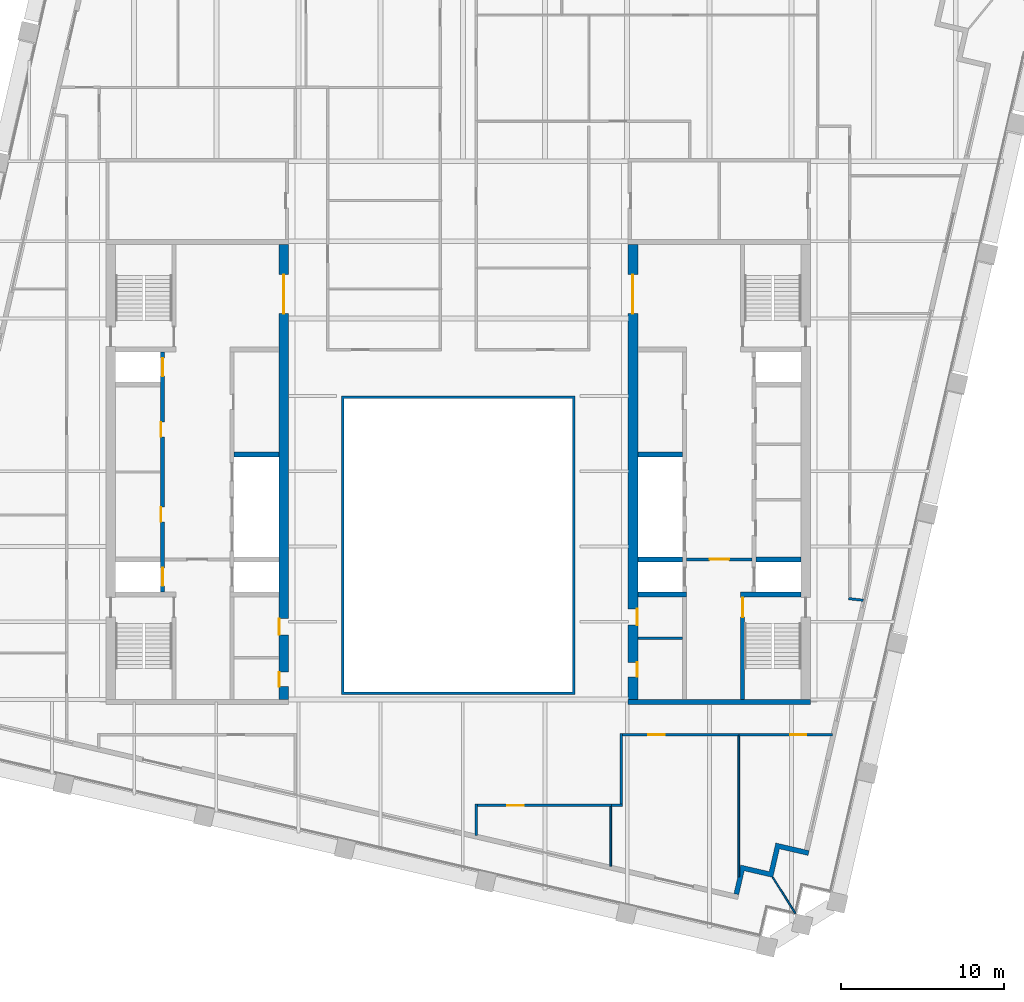
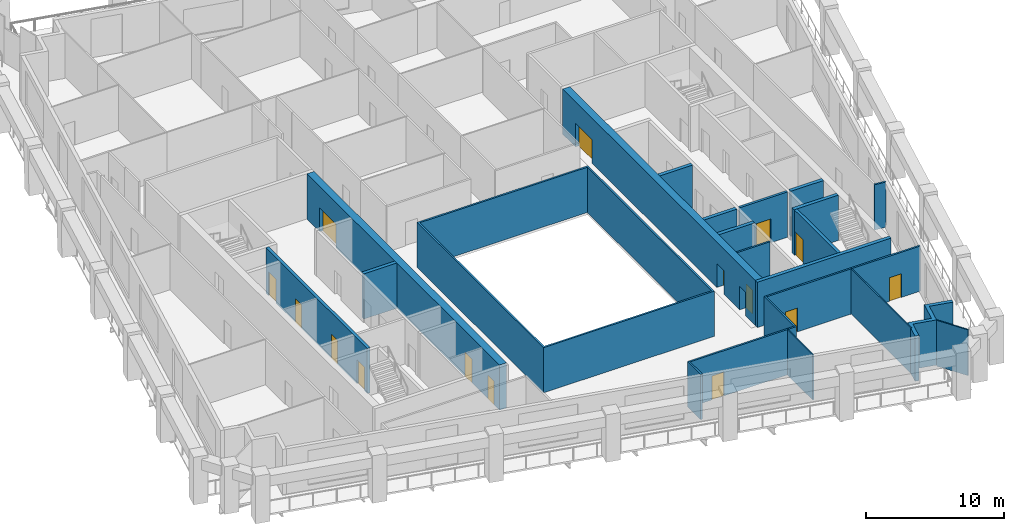
# One storey, part 5 of 10: 25 walls, 15 doors, 15 openings.
"""IFC4 building model written with IfcOpenShell, lengths in metres."""

from ifc_helpers import new_model, si_unit, direction, frame, frame_2d, origin, place, context, subcontext, project, spatial, polyline, rectangle, outline, extrude, material, layer, layer_set, type_object, element, fill, save


model = new_model("IFC4")

# Units and contexts
model_context = context("Model", 3, precision=1e-05, world=origin(), true_north=direction((0.0, 1.0)))
body_context = subcontext(model_context, "Body", "Model", "MODEL_VIEW")
ifc_project = project(units=[si_unit("LENGTHUNIT", "METRE"), si_unit("AREAUNIT", "SQUARE_METRE"), si_unit("VOLUMEUNIT", "CUBIC_METRE"), si_unit("PLANEANGLEUNIT", "RADIAN"), si_unit("MASSUNIT", "GRAM", prefix="KILO")], contexts=[model_context])

# Site, building, storey
site_placement = place(None, origin())
site = spatial("IfcSite", under=ifc_project, at=site_placement, CompositionType="ELEMENT")
building_placement = place(site_placement, origin())
building = spatial("IfcBuilding", under=site, at=building_placement, Name="Ogive Exchange Tower", CompositionType="ELEMENT")
storey_placement = place(building_placement, frame((0.0, 0.0, 264.0)))
storey = spatial("IfcBuildingStorey", under=building, at=storey_placement, Name="L57", CompositionType="ELEMENT", Elevation=264.0)

# Walls
ifc_material_1 = material(Name="Gypsum board partition")
ifc_layer_1 = layer(ifc_material_1, 0.14990234375)
ifc_layer_set_1 = layer_set([ifc_layer_1], Name="Core room partition 150 gypsum")
wall_type_1 = type_object("IfcWallType", Name="Core room partition 150 gypsum", PredefinedType="PARTITIONING", material=ifc_layer_set_1)
wall_1_placement = place(storey_placement, frame((11.0, 1.300048828125, 0.0), z_axis=(0.0, 0.0, 1.0), x_axis=(1.0, 0.0, 0.0)))
element("IfcWall", 1, at=wall_1_placement, inside=storey, type_object=wall_type_1, Name="E south room partition", PredefinedType="PARTITIONING", context=body_context, shape_type="SweptSolid", body=[
    extrude(rectangle(XDim=2.75, YDim=0.14990234375, at=frame_2d((1.375, 0.0))), origin(), (0.0, 0.0, 1.0), 4.0),
])
ifc_material_2 = material(Name="Fire partition EI 60 150")
ifc_layer_2 = layer(ifc_material_2, 0.14990234375)
ifc_layer_set_2 = layer_set([ifc_layer_2], Name="Fire partition EI 60 150")
wall_type_2 = type_object("IfcWallType", Name="Fire partition EI 60 150", PredefinedType="PARTITIONING", material=ifc_layer_set_2)
wall_2_placement = place(storey_placement, frame((1.10009765625, -8.864990234375, 0.0), z_axis=(0.0, 0.0, 1.0), x_axis=(0.0, -1.0, 0.0)))
element("IfcWall", 2, at=wall_2_placement, inside=storey, type_object=wall_type_2, Name="L57-PWL-045", PredefinedType="PARTITIONING", context=body_context, shape_type="SweptSolid", body=[
    extrude(rectangle(XDim=1.9130859375, YDim=0.14990234375, at=frame_2d((0.95654296875, 0.0))), origin(), (0.0, 0.0, 1.0), 4.0),
])

# Wall, opening, door
wall_3_placement = place(storey_placement, frame((9.389892578125, -8.93994140625, 0.0), z_axis=(0.0, 0.0, 1.0), x_axis=(-1.0, 0.0, 0.0)))
wall_3 = element("IfcWall", 3, at=wall_3_placement, inside=storey, type_object=wall_type_2, Name="L57-PWL-060", PredefinedType="PARTITIONING", context=body_context, shape_type="SweptSolid", body=[
    extrude(rectangle(XDim=8.21484375, YDim=0.14990234375, at=frame_2d((4.107421875, 0.0))), origin(), (0.0, 0.0, 1.0), 4.0),
])
opening_1_placement = place(wall_3_placement, frame((5.389892578125, 0.0, 0.0)))
opening_1 = element("IfcOpeningElement", 4, at=opening_1_placement, cuts=wall_3, Name="Opening L57-I25", PredefinedType="OPENING", context=body_context, shape_type="SweptSolid", body=[
    extrude(rectangle(XDim=1.0, YDim=2.10009765625, at=frame_2d((0.5, 1.050048828125))), frame((0.0, 0.0849609375, 0.0), z_axis=(0.0, -1.0, 0.0), x_axis=(1.0, 0.0, 0.0)), (0.0, 0.0, 1.0), 0.169921875),
])
ifc_material_3 = material(Name="Fire door FD 30S 1000 x 2100")
door_type_1 = type_object("IfcDoorType", Name="Fire door FD 30S 1000 x 2100", OperationType="NOTDEFINED", PredefinedType="DOOR", material=ifc_material_3)
door_1_placement = place(opening_1_placement, origin())
door_1 = element("IfcDoor", 5, at=door_1_placement, inside=storey, type_object=door_type_1, Name="L57-IDR-025", ObjectType="DT3", OperationType="SINGLE_SWING_LEFT", OverallHeight=2.10009765625, OverallWidth=1.0, PredefinedType="DOOR", context=body_context, shape_type="SweptSolid", body=[
    extrude(rectangle(XDim=1.0, YDim=2.10009765625, at=frame_2d((0.5, 1.050048828125))), frame((0.0, 0.02490234375, 0.0), z_axis=(0.0, -1.0, 0.0), x_axis=(1.0, 0.0, 0.0)), (0.0, 0.0, 1.0), 0.050048828125),
])
fill(opening_1, door_1)

# Walls
wall_4_placement = place(storey_placement, frame((10.074951171875, -8.93994140625, 0.0), z_axis=(0.0, 0.0, 1.0), x_axis=(-1.0, 0.0, 0.0)))
element("IfcWall", 6, at=wall_4_placement, inside=storey, type_object=wall_type_2, Name="L57-PWL-062", PredefinedType="PARTITIONING", context=body_context, shape_type="SweptSolid", body=[
    extrude(rectangle(XDim=0.68505859375, YDim=0.14990234375, at=frame_2d((0.342529296875, 0.0))), origin(), (0.0, 0.0, 1.0), 4.0),
])
wall_5_placement = place(storey_placement, frame((10.0, -4.52490234375, 0.0), z_axis=(0.0, 0.0, 1.0), x_axis=(0.0, -1.0, 0.0)))
element("IfcWall", 7, at=wall_5_placement, inside=storey, type_object=wall_type_2, Name="L57-PWL-063", PredefinedType="PARTITIONING", context=body_context, shape_type="SweptSolid", body=[
    extrude(rectangle(XDim=4.340087890625, YDim=0.14990234375, at=frame_2d((2.169921875, 0.0))), origin(), (0.0, 0.0, 1.0), 4.0),
])

# Wall, opening, door
wall_6_placement = place(storey_placement, frame((17.239990234375, -4.60009765625, 0.0), z_axis=(0.0, 0.0, 1.0), x_axis=(-1.0, 0.0, 0.0)))
wall_6 = element("IfcWall", 8, at=wall_6_placement, inside=storey, type_object=wall_type_2, Name="L57-PWL-065", PredefinedType="PARTITIONING", context=body_context, shape_type="SweptSolid", body=[
    extrude(rectangle(XDim=7.1650390625, YDim=0.14990234375, at=frame_2d((3.58251953125, 0.0))), origin(), (0.0, 0.0, 1.0), 4.0),
])
opening_2_placement = place(wall_6_placement, frame((4.590087890625, 0.0, 0.0)))
opening_2 = element("IfcOpeningElement", 9, at=opening_2_placement, cuts=wall_6, Name="Opening L57-I26", PredefinedType="OPENING", context=body_context, shape_type="SweptSolid", body=[
    extrude(rectangle(XDim=1.0, YDim=2.10009765625, at=frame_2d((0.5, 1.050048828125))), frame((0.0, 0.0849609375, 0.0), z_axis=(0.0, -1.0, 0.0), x_axis=(1.0, 0.0, 0.0)), (0.0, 0.0, 1.0), 0.169921875),
])
door_2_placement = place(opening_2_placement, origin())
door_2 = element("IfcDoor", 10, at=door_2_placement, inside=storey, type_object=door_type_1, Name="L57-IDR-026", ObjectType="DT3", OperationType="SINGLE_SWING_LEFT", OverallHeight=2.10009765625, OverallWidth=1.0, PredefinedType="DOOR", context=body_context, shape_type="SweptSolid", body=[
    extrude(rectangle(XDim=1.0, YDim=2.10009765625, at=frame_2d((0.5, 1.050048828125))), frame((0.0, 0.02490234375, 0.0), z_axis=(0.0, -1.0, 0.0), x_axis=(1.0, 0.0, 0.0)), (0.0, 0.0, 1.0), 0.050048828125),
])
fill(opening_2, door_2)

wall_7_placement = place(storey_placement, frame((22.922119140625, -4.60009765625, 0.0), z_axis=(0.0, 0.0, 1.0), x_axis=(-1.0, 0.0, 0.0)))
wall_7 = element("IfcWall", 11, at=wall_7_placement, inside=storey, type_object=wall_type_2, Name="L57-PWL-072", PredefinedType="PARTITIONING", context=body_context, shape_type="SweptSolid", body=[
    extrude(rectangle(XDim=5.732177734375, YDim=0.14990234375, at=frame_2d((2.8662109375, 0.0))), origin(), (0.0, 0.0, 1.0), 4.0),
])
opening_3_placement = place(wall_7_placement, frame((1.58203125, 0.0, 0.0)))
opening_3 = element("IfcOpeningElement", 12, at=opening_3_placement, cuts=wall_7, Name="Opening L57-I27", PredefinedType="OPENING", context=body_context, shape_type="SweptSolid", body=[
    extrude(rectangle(XDim=1.0, YDim=2.10009765625, at=frame_2d((0.5, 1.050048828125))), frame((0.0, 0.0849609375, 0.0), z_axis=(0.0, -1.0, 0.0), x_axis=(1.0, 0.0, 0.0)), (0.0, 0.0, 1.0), 0.169921875),
])
door_3_placement = place(opening_3_placement, origin())
door_3 = element("IfcDoor", 13, at=door_3_placement, inside=storey, type_object=door_type_1, Name="L57-IDR-027", ObjectType="DT3", OperationType="SINGLE_SWING_RIGHT", OverallHeight=2.10009765625, OverallWidth=1.0, PredefinedType="DOOR", context=body_context, shape_type="SweptSolid", body=[
    extrude(rectangle(XDim=1.0, YDim=2.10009765625, at=frame_2d((0.5, 1.050048828125))), frame((0.0, 0.02490234375, 0.0), z_axis=(0.0, -1.0, 0.0), x_axis=(1.0, 0.0, 0.0)), (0.0, 0.0, 1.0), 0.050048828125),
])
fill(opening_3, door_3)

# Walls
wall_8_placement = place(storey_placement, frame((23.925048828125, 3.739013671875, 0.0), z_axis=(0.0, 0.0, 1.0), x_axis=(0.993344839434, -0.115178253021, 0.0)))
element("IfcWall", 14, at=wall_8_placement, inside=storey, type_object=wall_type_2, Name="L57-PWL-073", PredefinedType="PARTITIONING", context=body_context, shape_type="SweptSolid", body=[
    extrude(rectangle(XDim=0.903076171875, YDim=0.14990234375, at=frame_2d((0.45166015625, 0.0))), origin(), (0.0, 0.0, 1.0), 4.0),
])
ifc_material_4 = material(Name="Fire-resisting glass in steel frame", Category="steel")
ifc_layer_3 = layer(ifc_material_4, 0.14990234375)
ifc_layer_set_3 = layer_set([ifc_layer_3], Name="Fire-rated glazed wall 150")
wall_type_3 = type_object("IfcWallType", Name="Fire-rated glazed wall 150", PredefinedType="STANDARD", material=ifc_layer_set_3)
wall_9_placement = place(storey_placement, origin())
element("IfcWall", 15, at=wall_9_placement, inside=storey, type_object=wall_type_3, Name="Nave enclosure wall", PredefinedType="STANDARD", context=body_context, shape_type="SweptSolid", body=[
    extrude(outline(polyline([(-7.14990234375, -2.14990234375), (7.14990234375, -2.14990234375), (7.14990234375, 16.14990234375), (-7.14990234375, 16.14990234375), (-7.14990234375, -2.14990234375)]), holes=[polyline([(-7.0, -2.0), (-7.0, 16.0), (7.0, 16.0), (7.0, -2.0), (-7.0, -2.0)])]), origin(), (0.0, 0.0, 1.0), 4.0),
])
ifc_material_5 = material(Name="Precast concrete C40/50", Category="concrete")
ifc_layer_4 = layer(ifc_material_5, 0.300048828125)
ifc_layer_set_4 = layer_set([ifc_layer_4], Name="Limestone-faced wall 300")
wall_type_4 = type_object("IfcWallType", Name="Limestone-faced wall 300", PredefinedType="STANDARD", material=ifc_layer_set_4)
wall_10_placement = place(storey_placement, origin())
element("IfcWall", 16, at=wall_10_placement, inside=storey, type_object=wall_type_4, Name="External corner wall C1", PredefinedType="STANDARD", context=body_context, shape_type="SweptSolid", body=[
    extrude(outline(polyline([(19.053955078125, -12.993408203125), (19.458740234375, -11.239501953125), (21.5048828125, -11.7119140625), (21.4375, -12.004150390625), (19.68359375, -11.599365234375), (19.27880859375, -13.353271484375), (17.52490234375, -12.9482421875), (17.1875, -14.409912109375), (16.89501953125, -14.34228515625), (17.300048828125, -12.58837890625), (19.053955078125, -12.993408203125)])), origin(), (0.0, 0.0, 1.0), 4.0),
])
ifc_material_6 = material(Name="Laminated safety glass in steel frame", Category="steel")
ifc_layer_5 = layer(ifc_material_6, 0.10009765625)
ifc_layer_set_5 = layer_set([ifc_layer_5], Name="Loggia end screen 100")
wall_type_5 = type_object("IfcWallType", Name="Loggia end screen 100", PredefinedType="STANDARD", material=ifc_layer_set_5)
wall_11_placement = place(storey_placement, frame((19.27880859375, -13.353271484375, -0.050048828125), z_axis=(0.0, 0.0, 1.0), x_axis=(0.529914407191, -0.848051131154, 0.0)))
element("IfcWall", 17, at=wall_11_placement, inside=storey, type_object=wall_type_5, Name="Loggia end screen C1", PredefinedType="STANDARD", context=body_context, shape_type="SweptSolid", body=[
    extrude(rectangle(XDim=2.59619140625, YDim=0.10009765625, at=frame_2d((1.298095703125, 0.0))), origin(), (0.0, 0.0, 1.0), 4.050048828125),
])
ifc_material_7 = material(Name="Partition 100 gypsum")
ifc_layer_6 = layer(ifc_material_7, 0.10009765625)
ifc_layer_set_6 = layer_set([ifc_layer_6], Name="Partition 100 gypsum")
wall_type_6 = type_object("IfcWallType", Name="Partition 100 gypsum", PredefinedType="PARTITIONING", material=ifc_layer_set_6)
wall_12_placement = place(storey_placement, frame((9.340087890625, -9.014892578125, 0.0), z_axis=(0.0, 0.0, 1.0), x_axis=(0.0, -1.0, 0.0)))
element("IfcWall", 18, at=wall_12_placement, inside=storey, type_object=wall_type_6, Name="L57-PWL-061", PredefinedType="PARTITIONING", context=body_context, shape_type="SweptSolid", body=[
    extrude(rectangle(XDim=3.666015625, YDim=0.10009765625, at=frame_2d((1.8330078125, 0.0))), origin(), (0.0, 0.0, 1.0), 4.0),
])
wall_13_placement = place(storey_placement, frame((17.18994140625, -4.675048828125, 0.0), z_axis=(0.0, 0.0, 1.0), x_axis=(0.0, -1.0, 0.0)))
element("IfcWall", 19, at=wall_13_placement, inside=storey, type_object=wall_type_6, Name="L57-PWL-066", PredefinedType="PARTITIONING", context=body_context, shape_type="SweptSolid", body=[
    extrude(rectangle(XDim=8.635009765625, YDim=0.10009765625, at=frame_2d((4.3173828125, 0.0))), origin(), (0.0, 0.0, 1.0), 4.0),
])

# Wall, opening, door
ifc_material_8 = material(Name="Concrete C70/85", Category="concrete")
ifc_layer_7 = layer(ifc_material_8, 0.199951171875)
ifc_layer_set_7 = layer_set([ifc_layer_7], Name="RC core wall 200 C70/85")
wall_type_7 = type_object("IfcWallType", Name="RC core wall 200 C70/85", PredefinedType="SHEAR", material=ifc_layer_set_7)
wall_14_placement = place(storey_placement, frame((14.0, 6.142822265625, 0.0), z_axis=(0.0, 0.0, 1.0), x_axis=(1.0, 0.0, 0.0)))
wall_14 = element("IfcWall", 20, at=wall_14_placement, inside=storey, type_object=wall_type_7, Name="E firefighting lobby wall", PredefinedType="SHEAR", context=body_context, shape_type="SweptSolid", body=[
    extrude(rectangle(XDim=4.0, YDim=0.199951171875, at=frame_2d((2.0, 0.0))), origin(), (0.0, 0.0, 1.0), 4.0),
])
opening_4_placement = place(wall_14_placement, frame((1.39990234375, 0.0, 0.0)))
opening_4 = element("IfcOpeningElement", 21, at=opening_4_placement, cuts=wall_14, Name="Opening L57-C29", PredefinedType="OPENING", context=body_context, shape_type="SweptSolid", body=[
    extrude(rectangle(XDim=1.199951171875, YDim=2.10009765625, at=frame_2d((0.60009765625, 1.050048828125))), frame((0.0, 0.10986328125, 0.0), z_axis=(0.0, -1.0, 0.0), x_axis=(1.0, 0.0, 0.0)), (0.0, 0.0, 1.0), 0.219970703125),
])
ifc_material_9 = material(Name="Steel fire door", Category="steel")
door_type_2 = type_object("IfcDoorType", Name="Firefighting lobby door FD60 1200 x 2100", OperationType="NOTDEFINED", PredefinedType="DOOR", material=ifc_material_9)
door_4_placement = place(opening_4_placement, frame((1.199951171875, 0.0, 0.0), z_axis=(0.0, 0.0, 1.0), x_axis=(-1.0, 0.0, 0.0)))
door_4 = element("IfcDoor", 22, at=door_4_placement, inside=storey, type_object=door_type_2, Name="Firefighting lobby door", ObjectType="CD3", OperationType="SINGLE_SWING_LEFT", OverallHeight=2.10009765625, OverallWidth=1.199951171875, PredefinedType="DOOR", context=body_context, shape_type="SweptSolid", body=[
    extrude(rectangle(XDim=1.199951171875, YDim=2.10009765625, at=frame_2d((0.60009765625, 1.050048828125))), frame((0.0, 0.02490234375, 0.0), z_axis=(0.0, -1.0, 0.0), x_axis=(1.0, 0.0, 0.0)), (0.0, 0.0, 1.0), 0.050048828125),
])
fill(opening_4, door_4)

# Wall, openings, doors
ifc_layer_8 = layer(ifc_material_8, 0.25)
ifc_layer_set_8 = layer_set([ifc_layer_8], Name="RC core wall 250 C70/85")
wall_type_8 = type_object("IfcWallType", Name="RC core wall 250 C70/85", PredefinedType="SHEAR", material=ifc_layer_set_8)
wall_15_placement = place(storey_placement, frame((-18.125, 4.14990234375, 0.0), z_axis=(0.0, 0.0, 1.0), x_axis=(0.0, 1.0, 0.0)))
wall_15 = element("IfcWall", 23, at=wall_15_placement, inside=storey, type_object=wall_type_8, Name="W row A front wall", PredefinedType="SHEAR", context=body_context, shape_type="SweptSolid", body=[
    extrude(rectangle(XDim=14.7001953125, YDim=0.25, at=frame_2d((7.35009765625, 0.0))), origin(), (0.0, 0.0, 1.0), 4.0),
])
opening_5_placement = place(wall_15_placement, frame((4.29638671875, 0.0, 0.0)))
opening_5 = element("IfcOpeningElement", 24, at=opening_5_placement, cuts=wall_15, Name="Opening L57-C01", PredefinedType="OPENING", context=body_context, shape_type="SweptSolid", body=[
    extrude(rectangle(XDim=0.89990234375, YDim=2.10009765625, at=frame_2d((0.449951171875, 1.050048828125))), frame((0.0, 0.135009765625, 0.0), z_axis=(0.0, -1.0, 0.0), x_axis=(1.0, 0.0, 0.0)), (0.0, 0.0, 1.0), 0.27001953125),
])
opening_6_placement = place(wall_15_placement, frame((9.503662109375, 0.0, 0.0)))
opening_6 = element("IfcOpeningElement", 25, at=opening_6_placement, cuts=wall_15, Name="Opening L57-C02", PredefinedType="OPENING", context=body_context, shape_type="SweptSolid", body=[
    extrude(rectangle(XDim=0.89990234375, YDim=2.10009765625, at=frame_2d((0.449951171875, 1.050048828125))), frame((0.0, 0.135009765625, 0.0), z_axis=(0.0, -1.0, 0.0), x_axis=(1.0, 0.0, 0.0)), (0.0, 0.0, 1.0), 0.27001953125),
])
opening_7_placement = place(wall_15_placement, frame((0.371337890625, 0.0, 0.0)))
opening_7 = element("IfcOpeningElement", 26, at=opening_7_placement, cuts=wall_15, Name="Opening L57-C03", PredefinedType="OPENING", context=body_context, shape_type="SweptSolid", body=[
    extrude(rectangle(XDim=1.10009765625, YDim=2.10009765625, at=frame_2d((0.550048828125, 1.050048828125))), frame((0.0, 0.135009765625, 0.0), z_axis=(0.0, -1.0, 0.0), x_axis=(1.0, 0.0, 0.0)), (0.0, 0.0, 1.0), 0.27001953125),
])
opening_8_placement = place(wall_15_placement, frame((13.228515625, 0.0, 0.0)))
opening_8 = element("IfcOpeningElement", 27, at=opening_8_placement, cuts=wall_15, Name="Opening L57-C04", PredefinedType="OPENING", context=body_context, shape_type="SweptSolid", body=[
    extrude(rectangle(XDim=1.10009765625, YDim=2.10009765625, at=frame_2d((0.550048828125, 1.050048828125))), frame((0.0, 0.135009765625, 0.0), z_axis=(0.0, -1.0, 0.0), x_axis=(1.0, 0.0, 0.0)), (0.0, 0.0, 1.0), 0.27001953125),
])
ifc_material_10 = material(Name="Timber fire door", Category="wood")
door_type_3 = type_object("IfcDoorType", Name="Core room door FD30S 900 x 2100", OperationType="NOTDEFINED", PredefinedType="DOOR", material=ifc_material_10)
door_5_placement = place(opening_6_placement, origin())
door_5 = element("IfcDoor", 28, at=door_5_placement, inside=storey, type_object=door_type_3, Name="Core room door", ObjectType="CD6", OperationType="SINGLE_SWING_RIGHT", OverallHeight=2.10009765625, OverallWidth=0.89990234375, PredefinedType="DOOR", context=body_context, shape_type="SweptSolid", body=[
    extrude(rectangle(XDim=0.89990234375, YDim=2.10009765625, at=frame_2d((0.449951171875, 1.050048828125))), frame((0.0, 0.125, 0.0), z_axis=(0.0, -1.0, 0.0), x_axis=(1.0, 0.0, 0.0)), (0.0, 0.0, 1.0), 0.050048828125),
])
fill(opening_6, door_5)
ifc_material_11 = material(Name="Stainless steel", Category="steel")
door_type_4 = type_object("IfcDoorType", Name="Lift landing door FD90 1100 x 2100", OperationType="SLIDING_TO_LEFT", PredefinedType="DOOR", material=ifc_material_11)
door_6_placement = place(opening_7_placement, origin())
door_6 = element("IfcDoor", 29, at=door_6_placement, inside=storey, type_object=door_type_4, Name="Lift landing door FF1", ObjectType="LD", OperationType="SLIDING_TO_LEFT", OverallHeight=2.10009765625, OverallWidth=1.10009765625, PredefinedType="DOOR", context=body_context, shape_type="SweptSolid", body=[
    extrude(rectangle(XDim=1.10009765625, YDim=2.10009765625, at=frame_2d((0.550048828125, 1.050048828125))), frame((0.0, 0.02490234375, 0.0), z_axis=(0.0, -1.0, 0.0), x_axis=(1.0, 0.0, 0.0)), (0.0, 0.0, 1.0), 0.050048828125),
])
fill(opening_7, door_6)
door_7_placement = place(opening_8_placement, origin())
door_7 = element("IfcDoor", 30, at=door_7_placement, inside=storey, type_object=door_type_4, Name="Lift landing door W-SH2", ObjectType="LD", OperationType="SLIDING_TO_LEFT", OverallHeight=2.10009765625, OverallWidth=1.10009765625, PredefinedType="DOOR", context=body_context, shape_type="SweptSolid", body=[
    extrude(rectangle(XDim=1.10009765625, YDim=2.10009765625, at=frame_2d((0.550048828125, 1.050048828125))), frame((0.0, 0.02490234375, 0.0), z_axis=(0.0, -1.0, 0.0), x_axis=(1.0, 0.0, 0.0)), (0.0, 0.0, 1.0), 0.050048828125),
])
fill(opening_8, door_7)
door_type_5 = type_object("IfcDoorType", Name="Riser door FD60 900 x 2100", OperationType="NOTDEFINED", PredefinedType="DOOR", material=ifc_material_9)
door_8_placement = place(opening_5_placement, origin())
door_8 = element("IfcDoor", 31, at=door_8_placement, inside=storey, type_object=door_type_5, Name="Riser door", ObjectType="CD2", OperationType="SINGLE_SWING_RIGHT", OverallHeight=2.10009765625, OverallWidth=0.89990234375, PredefinedType="DOOR", context=body_context, shape_type="SweptSolid", body=[
    extrude(rectangle(XDim=0.89990234375, YDim=2.10009765625, at=frame_2d((0.449951171875, 1.050048828125))), frame((0.0, 0.125, 0.0), z_axis=(0.0, -1.0, 0.0), x_axis=(1.0, 0.0, 0.0)), (0.0, 0.0, 1.0), 0.050048828125),
])
fill(opening_5, door_8)

# Wall, opening, door
wall_16_placement = place(storey_placement, frame((17.425048828125, -2.449951171875, 0.0), z_axis=(0.0, 0.0, 1.0), x_axis=(0.0, 1.0, 0.0)))
wall_16 = element("IfcWall", 32, at=wall_16_placement, inside=storey, type_object=wall_type_8, Name="E stair S front wall", PredefinedType="SHEAR", context=body_context, shape_type="SweptSolid", body=[
    extrude(rectangle(XDim=6.300048828125, YDim=0.25, at=frame_2d((3.14990234375, 0.0))), origin(), (0.0, 0.0, 1.0), 4.0),
])
opening_9_placement = place(wall_16_placement, frame((5.050048828125, 0.0, 0.0)))
opening_9 = element("IfcOpeningElement", 33, at=opening_9_placement, cuts=wall_16, Name="Opening L57-C31", PredefinedType="OPENING", context=body_context, shape_type="SweptSolid", body=[
    extrude(rectangle(XDim=1.199951171875, YDim=2.10009765625, at=frame_2d((0.60009765625, 1.050048828125))), frame((0.0, 0.135009765625, 0.0), z_axis=(0.0, -1.0, 0.0), x_axis=(1.0, 0.0, 0.0)), (0.0, 0.0, 1.0), 0.27001953125),
])
door_type_6 = type_object("IfcDoorType", Name="Stair door FD90 1200 x 2100", OperationType="NOTDEFINED", PredefinedType="DOOR", material=ifc_material_9)
door_9_placement = place(opening_9_placement, frame((1.199951171875, 0.0, 0.0), z_axis=(0.0, 0.0, 1.0), x_axis=(-1.0, 0.0, 0.0)))
door_9 = element("IfcDoor", 34, at=door_9_placement, inside=storey, type_object=door_type_6, Name="Stair door", ObjectType="CD5", OperationType="SINGLE_SWING_RIGHT", OverallHeight=2.10009765625, OverallWidth=1.199951171875, PredefinedType="DOOR", context=body_context, shape_type="SweptSolid", body=[
    extrude(rectangle(XDim=1.199951171875, YDim=2.10009765625, at=frame_2d((0.60009765625, 1.050048828125))), frame((0.0, 0.02490234375, 0.0), z_axis=(0.0, -1.0, 0.0), x_axis=(1.0, 0.0, 0.0)), (0.0, 0.0, 1.0), 0.050048828125),
])
fill(opening_9, door_9)

# Walls
ifc_layer_9 = layer(ifc_material_8, 0.300048828125)
ifc_layer_set_9 = layer_set([ifc_layer_9], Name="RC core wall 300 C70/85")
wall_type_9 = type_object("IfcWallType", Name="RC core wall 300 C70/85", PredefinedType="SHEAR", material=ifc_layer_set_9)
wall_17_placement = place(storey_placement, frame((-13.75, 12.5712890625, 0.0), z_axis=(0.0, 0.0, 1.0), x_axis=(1.0, 0.0, 0.0)))
element("IfcWall", 35, at=wall_17_placement, inside=storey, type_object=wall_type_9, Name="W row B divider 4", PredefinedType="SHEAR", context=body_context, shape_type="SweptSolid", body=[
    extrude(rectangle(XDim=2.75, YDim=0.300048828125, at=frame_2d((1.375, 0.0))), origin(), (0.0, 0.0, 1.0), 4.0),
])
wall_18_placement = place(storey_placement, frame((10.39990234375, -2.60009765625, 0.0), z_axis=(0.0, 0.0, 1.0), x_axis=(1.0, 0.0, 0.0)))
element("IfcWall", 36, at=wall_18_placement, inside=storey, type_object=wall_type_9, Name="E south end wall", PredefinedType="SHEAR", context=body_context, shape_type="SweptSolid", body=[
    extrude(rectangle(XDim=11.2001953125, YDim=0.300048828125, at=frame_2d((5.60009765625, 0.0))), origin(), (0.0, 0.0, 1.0), 4.0),
])
wall_19_placement = place(storey_placement, frame((17.300048828125, 4.0, 0.0), z_axis=(0.0, 0.0, 1.0), x_axis=(1.0, 0.0, 0.0)))
element("IfcWall", 37, at=wall_19_placement, inside=storey, type_object=wall_type_9, Name="E stair S north wall", PredefinedType="SHEAR", context=body_context, shape_type="SweptSolid", body=[
    extrude(rectangle(XDim=3.699951171875, YDim=0.300048828125, at=frame_2d((1.85009765625, 0.0))), origin(), (0.0, 0.0, 1.0), 4.0),
])
wall_20_placement = place(storey_placement, frame((18.25, 6.142822265625, 0.0), z_axis=(0.0, 0.0, 1.0), x_axis=(1.0, 0.0, 0.0)))
element("IfcWall", 38, at=wall_20_placement, inside=storey, type_object=wall_type_9, Name="E row A divider 1", PredefinedType="SHEAR", context=body_context, shape_type="SweptSolid", body=[
    extrude(rectangle(XDim=2.75, YDim=0.300048828125, at=frame_2d((1.375, 0.0))), origin(), (0.0, 0.0, 1.0), 4.0),
])
wall_21_placement = place(storey_placement, frame((11.0, 4.0, 0.0), z_axis=(0.0, 0.0, 1.0), x_axis=(1.0, 0.0, 0.0)))
element("IfcWall", 39, at=wall_21_placement, inside=storey, type_object=wall_type_9, Name="E row B divider 0", PredefinedType="SHEAR", context=body_context, shape_type="SweptSolid", body=[
    extrude(rectangle(XDim=3.0, YDim=0.300048828125, at=frame_2d((1.5, 0.0))), origin(), (0.0, 0.0, 1.0), 4.0),
])
for number, where, z_axis, x_axis, name in (
    (40, (11.0, 6.142822265625, 0.0), (0.0, 0.0, 1.0), (1.0, 0.0, 0.0), "E row B divider 1"),
    (41, (11.0, 12.5712890625, 0.0), (0.0, 0.0, 1.0), (1.0, 0.0, 0.0), "E row B divider 4"),
):
    element("IfcWall", number, at=place(storey_placement, frame(where, z_axis=z_axis, x_axis=x_axis)), inside=storey, type_object=wall_type_9, Name=name, PredefinedType="SHEAR", context=body_context, shape_type="SweptSolid", body=[
        extrude(rectangle(XDim=2.75, YDim=0.300048828125, at=frame_2d((1.375, 0.0))), origin(), (0.0, 0.0, 1.0), 4.0),
    ])

# Wall, openings, doors
ifc_layer_10 = layer(ifc_material_8, 0.60009765625)
ifc_layer_set_10 = layer_set([ifc_layer_10], Name="RC core wall 600 C70/85")
wall_type_10 = type_object("IfcWallType", Name="RC core wall 600 C70/85", PredefinedType="SHEAR", material=ifc_layer_set_10)
wall_22_placement = place(storey_placement, frame((-10.699951171875, -2.449951171875, 0.0), z_axis=(0.0, 0.0, 1.0), x_axis=(0.0, 1.0, 0.0)))
wall_22 = element("IfcWall", 42, at=wall_22_placement, inside=storey, type_object=wall_type_10, Name="W inner wall", PredefinedType="SHEAR", context=body_context, shape_type="SweptSolid", body=[
    extrude(rectangle(XDim=27.89990234375, YDim=0.60009765625, at=frame_2d((13.949951171875, 0.0))), origin(), (0.0, 0.0, 1.0), 4.0),
])
opening_10_placement = place(wall_22_placement, frame((23.64990234375, 0.0, 0.0)))
opening_10 = element("IfcOpeningElement", 43, at=opening_10_placement, cuts=wall_22, Name="Opening L57-C11", PredefinedType="OPENING", context=body_context, shape_type="SweptSolid", body=[
    extrude(rectangle(XDim=2.39990234375, YDim=2.10009765625, at=frame_2d((1.199951171875, 1.050048828125))), frame((0.0, 0.31005859375, 0.0), z_axis=(0.0, -1.0, 0.0), x_axis=(1.0, 0.0, 0.0)), (0.0, 0.0, 1.0), 0.6201171875),
])
opening_11_placement = place(wall_22_placement, frame((0.78759765625, 0.0, 0.0)))
opening_11 = element("IfcOpeningElement", 44, at=opening_11_placement, cuts=wall_22, Name="Opening L57-C16", PredefinedType="OPENING", context=body_context, shape_type="SweptSolid", body=[
    extrude(rectangle(XDim=0.89990234375, YDim=2.10009765625, at=frame_2d((0.449951171875, 1.050048828125))), frame((0.0, 0.31005859375, 0.0), z_axis=(0.0, -1.0, 0.0), x_axis=(1.0, 0.0, 0.0)), (0.0, 0.0, 1.0), 0.6201171875),
])
opening_12_placement = place(wall_22_placement, frame((3.96240234375, 0.0, 0.0)))
opening_12 = element("IfcOpeningElement", 45, at=opening_12_placement, cuts=wall_22, Name="Opening L57-C17", PredefinedType="OPENING", context=body_context, shape_type="SweptSolid", body=[
    extrude(rectangle(XDim=1.0, YDim=2.10009765625, at=frame_2d((0.5, 1.050048828125))), frame((0.0, 0.31005859375, 0.0), z_axis=(0.0, -1.0, 0.0), x_axis=(1.0, 0.0, 0.0)), (0.0, 0.0, 1.0), 0.6201171875),
])
door_type_7 = type_object("IfcDoorType", Name="Accessible WC door FD30S 1000 x 2100", OperationType="NOTDEFINED", PredefinedType="DOOR", material=ifc_material_10)
door_10_placement = place(opening_12_placement, frame((1.0, 0.5498046875, 0.0), z_axis=(0.0, 0.0, 1.0), x_axis=(-1.0, 0.0, 0.0)))
door_10 = element("IfcDoor", 46, at=door_10_placement, inside=storey, type_object=door_type_7, Name="Accessible WC door", ObjectType="CD7", OperationType="SINGLE_SWING_LEFT", OverallHeight=2.10009765625, OverallWidth=1.0, PredefinedType="DOOR", context=body_context, shape_type="SweptSolid", body=[
    extrude(rectangle(XDim=1.0, YDim=2.10009765625, at=frame_2d((0.5, 1.050048828125))), frame((0.0, 0.2998046875, 0.0), z_axis=(0.0, -1.0, 0.0), x_axis=(1.0, 0.0, 0.0)), (0.0, 0.0, 1.0), 0.050048828125),
])
fill(opening_12, door_10)
door_11_placement = place(opening_11_placement, frame((0.89990234375, 0.5498046875, 0.0), z_axis=(0.0, 0.0, 1.0), x_axis=(-1.0, 0.0, 0.0)))
door_11 = element("IfcDoor", 47, at=door_11_placement, inside=storey, type_object=door_type_3, Name="Core room door", ObjectType="CD6", OperationType="SINGLE_SWING_LEFT", OverallHeight=2.10009765625, OverallWidth=0.89990234375, PredefinedType="DOOR", context=body_context, shape_type="SweptSolid", body=[
    extrude(rectangle(XDim=0.89990234375, YDim=2.10009765625, at=frame_2d((0.449951171875, 1.050048828125))), frame((0.0, 0.2998046875, 0.0), z_axis=(0.0, -1.0, 0.0), x_axis=(1.0, 0.0, 0.0)), (0.0, 0.0, 1.0), 0.050048828125),
])
fill(opening_11, door_11)
ifc_material_12 = material(Name="Glazed steel fire door", Category="steel")
door_type_8 = type_object("IfcDoorType", Name="Lift lobby double door FD60 2400 x 2100", OperationType="DOUBLE_DOOR_SINGLE_SWING", PredefinedType="DOOR", material=ifc_material_12)
door_12_placement = place(opening_10_placement, frame((2.39990234375, 0.0, 0.0), z_axis=(0.0, 0.0, 1.0), x_axis=(-1.0, 0.0, 0.0)))
door_12 = element("IfcDoor", 48, at=door_12_placement, inside=storey, type_object=door_type_8, Name="Lift lobby double door", ObjectType="CD4", OperationType="DOUBLE_DOOR_SINGLE_SWING", OverallHeight=2.10009765625, OverallWidth=2.39990234375, PredefinedType="DOOR", context=body_context, shape_type="SweptSolid", body=[
    extrude(rectangle(XDim=2.39990234375, YDim=2.10009765625, at=frame_2d((1.199951171875, 1.050048828125))), frame((0.0, 0.02490234375, 0.0), z_axis=(0.0, -1.0, 0.0), x_axis=(1.0, 0.0, 0.0)), (0.0, 0.0, 1.0), 0.050048828125),
])
fill(opening_10, door_12)

wall_23_placement = place(storey_placement, frame((10.699951171875, -2.449951171875, 0.0), z_axis=(0.0, 0.0, 1.0), x_axis=(0.0, 1.0, 0.0)))
wall_23 = element("IfcWall", 49, at=wall_23_placement, inside=storey, type_object=wall_type_10, Name="E inner wall", PredefinedType="SHEAR", context=body_context, shape_type="SweptSolid", body=[
    extrude(rectangle(XDim=27.89990234375, YDim=0.60009765625, at=frame_2d((13.949951171875, 0.0))), origin(), (0.0, 0.0, 1.0), 4.0),
])
opening_13_placement = place(wall_23_placement, frame((23.64990234375, 0.0, 0.0)))
opening_13 = element("IfcOpeningElement", 50, at=opening_13_placement, cuts=wall_23, Name="Opening L57-C30", PredefinedType="OPENING", context=body_context, shape_type="SweptSolid", body=[
    extrude(rectangle(XDim=2.39990234375, YDim=2.10009765625, at=frame_2d((1.199951171875, 1.050048828125))), frame((0.0, 0.31005859375, 0.0), z_axis=(0.0, -1.0, 0.0), x_axis=(1.0, 0.0, 0.0)), (0.0, 0.0, 1.0), 0.6201171875),
])
opening_14_placement = place(wall_23_placement, frame((1.387451171875, 0.0, 0.0)))
opening_14 = element("IfcOpeningElement", 51, at=opening_14_placement, cuts=wall_23, Name="Opening L57-C35", PredefinedType="OPENING", context=body_context, shape_type="SweptSolid", body=[
    extrude(rectangle(XDim=0.89990234375, YDim=2.10009765625, at=frame_2d((0.449951171875, 1.050048828125))), frame((0.0, 0.31005859375, 0.0), z_axis=(0.0, -1.0, 0.0), x_axis=(1.0, 0.0, 0.0)), (0.0, 0.0, 1.0), 0.6201171875),
])
opening_15_placement = place(wall_23_placement, frame((4.5625, 0.0, 0.0)))
opening_15 = element("IfcOpeningElement", 52, at=opening_15_placement, cuts=wall_23, Name="Opening L57-C36", PredefinedType="OPENING", context=body_context, shape_type="SweptSolid", body=[
    extrude(rectangle(XDim=1.0, YDim=2.10009765625, at=frame_2d((0.5, 1.050048828125))), frame((0.0, 0.31005859375, 0.0), z_axis=(0.0, -1.0, 0.0), x_axis=(1.0, 0.0, 0.0)), (0.0, 0.0, 1.0), 0.6201171875),
])
door_13_placement = place(opening_15_placement, origin())
door_13 = element("IfcDoor", 53, at=door_13_placement, inside=storey, type_object=door_type_7, Name="Accessible WC door", ObjectType="CD7", OperationType="SINGLE_SWING_RIGHT", OverallHeight=2.10009765625, OverallWidth=1.0, PredefinedType="DOOR", context=body_context, shape_type="SweptSolid", body=[
    extrude(rectangle(XDim=1.0, YDim=2.10009765625, at=frame_2d((0.5, 1.050048828125))), frame((0.0, -0.25, 0.0), z_axis=(0.0, -1.0, 0.0), x_axis=(1.0, 0.0, 0.0)), (0.0, 0.0, 1.0), 0.050048828125),
])
fill(opening_15, door_13)
door_14_placement = place(opening_14_placement, origin())
door_14 = element("IfcDoor", 54, at=door_14_placement, inside=storey, type_object=door_type_3, Name="Core room door", ObjectType="CD6", OperationType="SINGLE_SWING_RIGHT", OverallHeight=2.10009765625, OverallWidth=0.89990234375, PredefinedType="DOOR", context=body_context, shape_type="SweptSolid", body=[
    extrude(rectangle(XDim=0.89990234375, YDim=2.10009765625, at=frame_2d((0.449951171875, 1.050048828125))), frame((0.0, -0.25, 0.0), z_axis=(0.0, -1.0, 0.0), x_axis=(1.0, 0.0, 0.0)), (0.0, 0.0, 1.0), 0.050048828125),
])
fill(opening_14, door_14)
door_15_placement = place(opening_13_placement, origin())
door_15 = element("IfcDoor", 55, at=door_15_placement, inside=storey, type_object=door_type_8, Name="Lift lobby double door", ObjectType="CD4", OperationType="DOUBLE_DOOR_SINGLE_SWING", OverallHeight=2.10009765625, OverallWidth=2.39990234375, PredefinedType="DOOR", context=body_context, shape_type="SweptSolid", body=[
    extrude(rectangle(XDim=2.39990234375, YDim=2.10009765625, at=frame_2d((1.199951171875, 1.050048828125))), frame((0.0, 0.02490234375, 0.0), z_axis=(0.0, -1.0, 0.0), x_axis=(1.0, 0.0, 0.0)), (0.0, 0.0, 1.0), 0.050048828125),
])
fill(opening_13, door_15)

save(model, "model.ifc")
